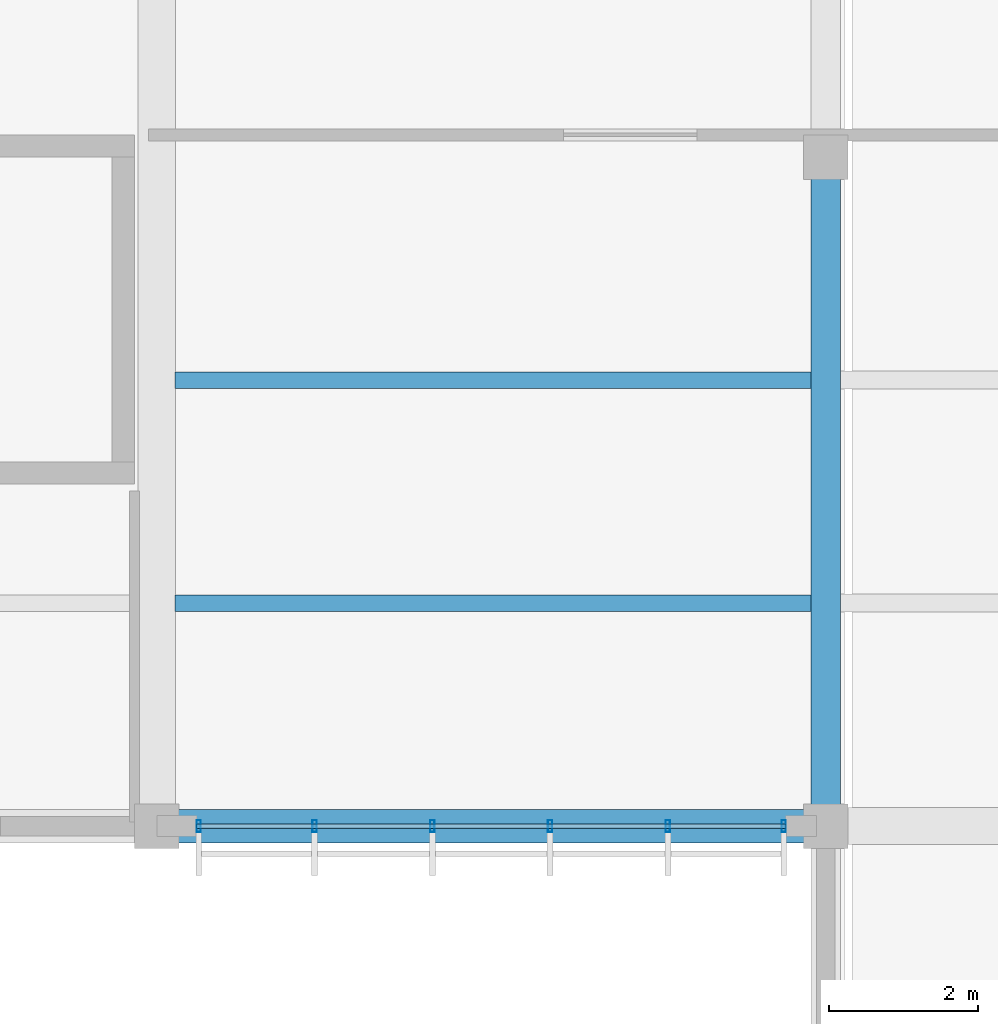
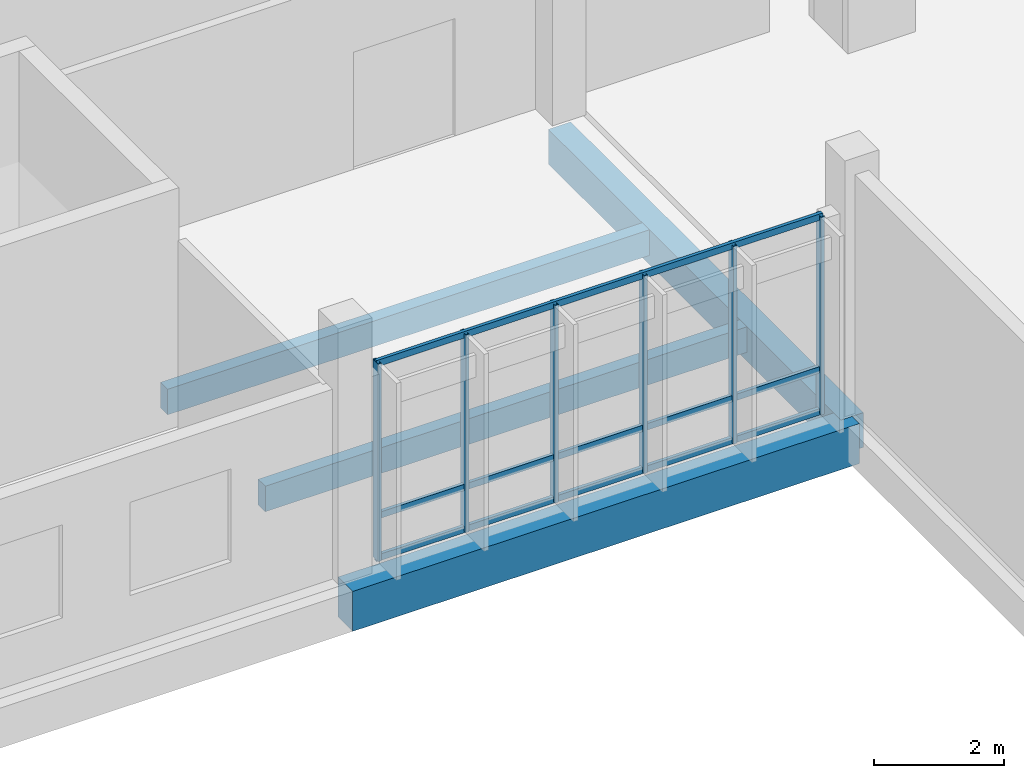
# One storey, part 83 of 177: 9 members, 4 beams, 1 element without a shape of its own.
"""IFC4 building model written with IfcOpenShell, lengths in metres."""

from ifc_helpers import new_model, si_unit, direction, frame, origin, origin_2d, place, context, subcontext, project, spatial, rectangle, hollow_rectangle, extrude, material, material_profile, profile_set, type_object, element, aggregate, save


model = new_model("IFC4")

# Units and contexts
model_context = context("Model", 3, precision=1e-05, world=origin(), true_north=direction((0.0, 1.0)))
body_context = subcontext(model_context, "Body", "Model", "MODEL_VIEW")
ifc_project = project(units=[si_unit("LENGTHUNIT", "METRE"), si_unit("AREAUNIT", "SQUARE_METRE"), si_unit("VOLUMEUNIT", "CUBIC_METRE"), si_unit("PLANEANGLEUNIT", "RADIAN"), si_unit("MASSUNIT", "GRAM", prefix="KILO")], contexts=[model_context])

# Site, building, storey
site_placement = place(None, origin())
site = spatial("IfcSite", under=ifc_project, at=site_placement, CompositionType="ELEMENT")
building_placement = place(site_placement, origin())
building = spatial("IfcBuilding", under=site, at=building_placement, Name="Chiffa Square Polytechnic", CompositionType="ELEMENT")
storey_placement = place(building_placement, frame((0.0, 0.0, 4.800048828125)))
storey = spatial("IfcBuildingStorey", under=building, at=storey_placement, Name="L01", CompositionType="ELEMENT", Elevation=4.800048828125)

# Beams
ifc_material_1 = material(Name="Concrete C35/45", Category="concrete")
ifc_material_profile_1 = material_profile(ifc_material_1, rectangle(XDim=0.39990234375, YDim=0.64990234375, at=origin_2d()), Name="RC 400x650")
ifc_profile_set_1 = profile_set([ifc_material_profile_1], Name="Concrete C35/45")
beam_type_1 = type_object("IfcBeamType", Name="BM-RC-400X650", PredefinedType="BEAM", material=ifc_profile_set_1)
beam_1_placement = place(storey_placement, frame((111.60009765625, 103.800048828125, -0.60498046875), z_axis=(0.0, 1.0, 0.0), x_axis=(-1.0, 0.0, 0.0)))
element("IfcBeam", 1, at=beam_1_placement, inside=storey, type_object=beam_type_1, Name="Primary floor girder BM-V5-L01-Y-1116-1038", PredefinedType="BEAM", context=body_context, shape_type="SweptSolid", body=[
    extrude(rectangle(XDim=0.39990234375, YDim=0.64990234375, at=origin_2d()), origin(), (0.0, 0.0, 1.0), 9.0),
])
ifc_material_profile_2 = material_profile(ifc_material_1, rectangle(XDim=0.449951171875, YDim=0.75, at=origin_2d()), Name="RC 450x750")
ifc_profile_set_2 = profile_set([ifc_material_profile_2], Name="Concrete C35/45")
beam_type_2 = type_object("IfcBeamType", Name="BM-RC-450X750", PredefinedType="BEAM", material=ifc_profile_set_2)
beam_2_placement = place(storey_placement, frame((102.60009765625, 103.800048828125, -0.655029296875), z_axis=(1.0, 0.0, 0.0), x_axis=(0.0, 1.0, 0.0)))
element("IfcBeam", 2, at=beam_2_placement, inside=storey, type_object=beam_type_2, Name="Primary floor girder BM-V5-L01-X-1026-1038", PredefinedType="BEAM", context=body_context, shape_type="SweptSolid", body=[
    extrude(rectangle(XDim=0.449951171875, YDim=0.75, at=origin_2d()), origin(), (0.0, 0.0, 1.0), 9.0),
])

# Curtain wall, members
ifc_material_2 = material(Name="Aluminium EN AW-6060 T66 and glulam shading", Category="wood")
curtain_wall_type = type_object("IfcCurtainWallType", Name="CW-VERT-600X440", PredefinedType="USERDEFINED", material=ifc_material_2)
curtain_wall_placement = place(storey_placement, origin())
curtain_wall = element("IfcCurtainWall", 3, at=curtain_wall_placement, inside=storey, type_object=curtain_wall_type, Name="Curtain wall CW-V5-L01-201", ObjectType="CURTAIN WALL", PredefinedType="USERDEFINED")
ifc_material_3 = material(Name="Aluminium EN AW-6060 T66", Category="aluminium")
ifc_material_profile_3 = material_profile(ifc_material_3, hollow_rectangle(XDim=0.06005859375, YDim=0.159912109375, WallThickness=0.00390625, at=origin_2d()), Name="ALU 60x160x4")
ifc_profile_set_3 = profile_set([ifc_material_profile_3], Name="Aluminium EN AW-6060 T66")
member_type_1 = type_object("IfcMemberType", Name="CWM-ALU-65X150", PredefinedType="MULLION", material=ifc_profile_set_3)
member_1_placement = place(storey_placement, frame((103.1650390625, 103.800048828125, 0.0), z_axis=(0.0, 0.0, 1.0), x_axis=(1.0, 0.0, 0.0)))
member_1 = element("IfcMember", 4, at=member_1_placement, type_object=member_type_1, Name="Curtain wall mullion CW-V5-L01-201-M00", PredefinedType="MULLION", context=body_context, shape_type="SweptSolid", body=[
    extrude(hollow_rectangle(XDim=0.06005859375, YDim=0.159912109375, WallThickness=0.00390625, at=origin_2d()), origin(), (0.0, 0.0, 1.0), 3.71484375),
])
member_2_placement = place(storey_placement, frame((104.72412109375, 103.800048828125, 0.0), z_axis=(0.0, 0.0, 1.0), x_axis=(1.0, 0.0, 0.0)))
member_2 = element("IfcMember", 5, at=member_2_placement, type_object=member_type_1, Name="Curtain wall mullion CW-V5-L01-201-M01", PredefinedType="MULLION", context=body_context, shape_type="SweptSolid", body=[
    extrude(hollow_rectangle(XDim=0.06005859375, YDim=0.159912109375, WallThickness=0.00390625, at=origin_2d()), origin(), (0.0, 0.0, 1.0), 3.71484375),
])
member_3_placement = place(storey_placement, frame((106.30810546875, 103.800048828125, 0.0), z_axis=(0.0, 0.0, 1.0), x_axis=(1.0, 0.0, 0.0)))
member_3 = element("IfcMember", 6, at=member_3_placement, type_object=member_type_1, Name="Curtain wall mullion CW-V5-L01-201-M02", PredefinedType="MULLION", context=body_context, shape_type="SweptSolid", body=[
    extrude(hollow_rectangle(XDim=0.06005859375, YDim=0.159912109375, WallThickness=0.00390625, at=origin_2d()), origin(), (0.0, 0.0, 1.0), 3.71484375),
])
member_4_placement = place(storey_placement, frame((107.89208984375, 103.800048828125, 0.0), z_axis=(0.0, 0.0, 1.0), x_axis=(1.0, 0.0, 0.0)))
member_4 = element("IfcMember", 7, at=member_4_placement, type_object=member_type_1, Name="Curtain wall mullion CW-V5-L01-201-M03", PredefinedType="MULLION", context=body_context, shape_type="SweptSolid", body=[
    extrude(hollow_rectangle(XDim=0.06005859375, YDim=0.159912109375, WallThickness=0.00390625, at=origin_2d()), origin(), (0.0, 0.0, 1.0), 3.71484375),
])
member_5_placement = place(storey_placement, frame((109.47607421875, 103.800048828125, 0.0), z_axis=(0.0, 0.0, 1.0), x_axis=(1.0, 0.0, 0.0)))
member_5 = element("IfcMember", 8, at=member_5_placement, type_object=member_type_1, Name="Curtain wall mullion CW-V5-L01-201-M04", PredefinedType="MULLION", context=body_context, shape_type="SweptSolid", body=[
    extrude(hollow_rectangle(XDim=0.06005859375, YDim=0.159912109375, WallThickness=0.00390625, at=origin_2d()), origin(), (0.0, 0.0, 1.0), 3.71484375),
])
member_6_placement = place(storey_placement, frame((111.034912109375, 103.800048828125, 0.0), z_axis=(0.0, 0.0, 1.0), x_axis=(1.0, 0.0, 0.0)))
member_6 = element("IfcMember", 9, at=member_6_placement, type_object=member_type_1, Name="Curtain wall mullion CW-V5-L01-201-M05", PredefinedType="MULLION", context=body_context, shape_type="SweptSolid", body=[
    extrude(hollow_rectangle(XDim=0.06005859375, YDim=0.159912109375, WallThickness=0.00390625, at=origin_2d()), origin(), (0.0, 0.0, 1.0), 3.71484375),
])
ifc_material_profile_4 = material_profile(ifc_material_3, hollow_rectangle(XDim=0.06005859375, YDim=0.1201171875, WallThickness=0.00390625, at=origin_2d()), Name="ALU 60x120x4")
ifc_profile_set_4 = profile_set([ifc_material_profile_4], Name="Aluminium EN AW-6060 T66")
member_type_2 = type_object("IfcMemberType", Name="CWT-ALU-65X120", PredefinedType="USERDEFINED", material=ifc_profile_set_4)
member_7_placement = place(storey_placement, frame((103.137939453125, 103.800048828125, 0.030029296875), z_axis=(1.0, 0.0, 0.0), x_axis=(0.0, 1.0, 0.0)))
member_7 = element("IfcMember", 10, at=member_7_placement, type_object=member_type_2, Name="Curtain wall transom CW-V5-L01-201-T01", ObjectType="TRANSOM", PredefinedType="USERDEFINED", context=body_context, shape_type="SweptSolid", body=[
    extrude(hollow_rectangle(XDim=0.06005859375, YDim=0.1201171875, WallThickness=0.00390625, at=origin_2d()), origin(), (0.0, 0.0, 1.0), 7.924072265625),
])
member_8_placement = place(storey_placement, frame((103.137939453125, 103.800048828125, 0.820068359375), z_axis=(1.0, 0.0, 0.0), x_axis=(0.0, 1.0, 0.0)))
member_8 = element("IfcMember", 11, at=member_8_placement, type_object=member_type_2, Name="Curtain wall transom CW-V5-L01-201-T02", ObjectType="TRANSOM", PredefinedType="USERDEFINED", context=body_context, shape_type="SweptSolid", body=[
    extrude(hollow_rectangle(XDim=0.06005859375, YDim=0.1201171875, WallThickness=0.00390625, at=origin_2d()), origin(), (0.0, 0.0, 1.0), 7.924072265625),
])
member_9_placement = place(storey_placement, frame((103.137939453125, 103.800048828125, 3.68505859375), z_axis=(1.0, 0.0, 0.0), x_axis=(0.0, 1.0, 0.0)))
member_9 = element("IfcMember", 12, at=member_9_placement, type_object=member_type_2, Name="Curtain wall transom CW-V5-L01-201-T03", ObjectType="TRANSOM", PredefinedType="USERDEFINED", context=body_context, shape_type="SweptSolid", body=[
    extrude(hollow_rectangle(XDim=0.06005859375, YDim=0.1201171875, WallThickness=0.00390625, at=origin_2d()), origin(), (0.0, 0.0, 1.0), 7.924072265625),
])
aggregate(curtain_wall, [member_1, member_2, member_3, member_4, member_5, member_6, member_7, member_8, member_9])

# Beams
ifc_material_4 = material(Name="Glulam GL28h", Category="wood")
ifc_material_profile_5 = material_profile(ifc_material_4, rectangle(XDim=0.219970703125, YDim=0.47998046875, at=origin_2d()), Name="GL28h 220x480")
ifc_profile_set_5 = profile_set([ifc_material_profile_5], Name="Glulam GL28h")
beam_type_3 = type_object("IfcBeamType", Name="JST-GL-220X480", PredefinedType="JOIST", material=ifc_profile_set_5)
for number, where, z_axis, x_axis, name in (
    (13, (102.847900390625, 106.800048828125, -0.52001953125), (1.0, 0.0, 0.0), (0.0, 1.0, 0.0), "Secondary floor joist JST-V5-L01-1026-1068"),
    (14, (102.847900390625, 109.800048828125, -0.52001953125), (1.0, 0.0, 0.0), (0.0, 1.0, 0.0), "Secondary floor joist JST-V5-L01-1026-1098"),
):
    element("IfcBeam", number, at=place(storey_placement, frame(where, z_axis=z_axis, x_axis=x_axis)), inside=storey, type_object=beam_type_3, Name=name, PredefinedType="JOIST", context=body_context, shape_type="SweptSolid", body=[
        extrude(rectangle(XDim=0.219970703125, YDim=0.47998046875, at=origin_2d()), origin(), (0.0, 0.0, 1.0), 8.55419921875),
    ])

save(model, "model.ifc")
